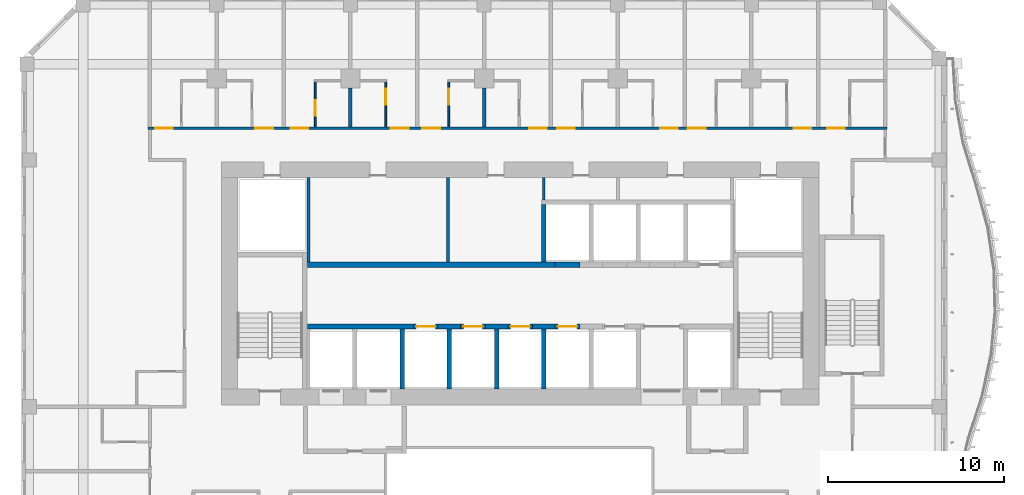
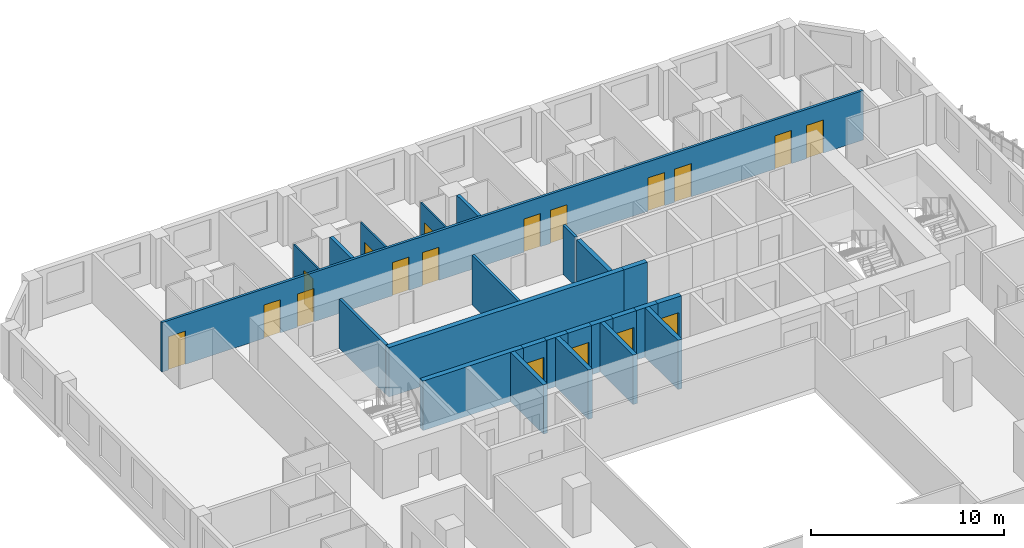
# One storey, part 7 of 21: 24 walls, 18 doors, 18 openings.
"""IFC4 building model written with IfcOpenShell, lengths in metres."""

from ifc_helpers import new_model, si_unit, direction, frame, frame_2d, origin, place, context, subcontext, project, spatial, rectangle, extrude, source, transform, mapped, material, layer, layer_set, type_object, element, fill, save


model = new_model("IFC4")

# Units and contexts
model_context = context("Model", 3, precision=1e-05, world=origin(), true_north=direction((0.0, 1.0)))
body_context = subcontext(model_context, "Body", "Model", "MODEL_VIEW")
ifc_project = project(units=[si_unit("LENGTHUNIT", "METRE"), si_unit("AREAUNIT", "SQUARE_METRE"), si_unit("VOLUMEUNIT", "CUBIC_METRE"), si_unit("PLANEANGLEUNIT", "RADIAN"), si_unit("MASSUNIT", "GRAM", prefix="KILO")], contexts=[model_context])

# Site, building, storey
site_placement = place(None, origin())
site = spatial("IfcSite", under=ifc_project, at=site_placement, CompositionType="ELEMENT")
building_placement = place(site_placement, origin())
building = spatial("IfcBuilding", under=site, at=building_placement, Name="Kilnfold Tower and Market Hall", CompositionType="ELEMENT")
storey_placement = place(building_placement, frame((0.0, 0.0, 147.300048828125)))
storey = spatial("IfcBuildingStorey", under=building, at=storey_placement, Name="L33", CompositionType="ELEMENT", Elevation=147.300048828125)

# Wall, openings, doors
ifc_material_1 = material(Name="Gypsum board on steel studs", Category="steel")
ifc_layer_1 = layer(ifc_material_1, 0.14990234375)
ifc_layer_set_1 = layer_set([ifc_layer_1], Name="Gypsum board on steel studs")
wall_type_1 = type_object("IfcWallType", Name="WALL CORRIDOR 150", PredefinedType="PARTITIONING", material=ifc_layer_set_1)
wall_1_placement = place(storey_placement, frame((-20.05908203125, 23.800048828125, 0.0), z_axis=(0.0, 0.0, 1.0), x_axis=(1.0, 0.0, 0.0)))
wall_1 = element("IfcWall", 1, at=wall_1_placement, inside=storey, type_object=wall_type_1, Name="Partition LY21.25", PredefinedType="PARTITIONING", context=body_context, shape_type="SweptSolid", body=[
    extrude(rectangle(XDim=41.9091796875, YDim=0.14990234375, at=frame_2d((20.95458984375, 0.0))), origin(), (0.0, 0.0, 1.0), 3.119873046875),
])
opening_1_placement = place(wall_1_placement, frame((0.40087890625, 0.0, 0.0)))
opening_1 = element("IfcOpeningElement", 2, at=opening_1_placement, cuts=wall_1, Name="Opening D1", PredefinedType="OPENING", context=body_context, shape_type="SweptSolid", body=[
    extrude(rectangle(XDim=1.0, YDim=2.10009765625, at=frame_2d((0.5, 1.050048828125))), frame((0.0, 0.0849609375, 0.0), z_axis=(0.0, -1.0, 0.0), x_axis=(1.0, 0.0, 0.0)), (0.0, 0.0, 1.0), 0.169921875),
])
opening_2_placement = place(wall_1_placement, frame((6.08203125, 0.0, 0.0)))
opening_2 = element("IfcOpeningElement", 3, at=opening_2_placement, cuts=wall_1, Name="Opening D1", PredefinedType="OPENING", context=body_context, shape_type="SweptSolid", body=[
    extrude(rectangle(XDim=1.0, YDim=2.10009765625, at=frame_2d((0.5, 1.050048828125))), frame((0.0, 0.0849609375, 0.0), z_axis=(0.0, -1.0, 0.0), x_axis=(1.0, 0.0, 0.0)), (0.0, 0.0, 1.0), 0.169921875),
])
opening_3_placement = place(wall_1_placement, frame((8.080078125, 0.0, 0.0)))
opening_3 = element("IfcOpeningElement", 4, at=opening_3_placement, cuts=wall_1, Name="Opening D1", PredefinedType="OPENING", context=body_context, shape_type="SweptSolid", body=[
    extrude(rectangle(XDim=1.0, YDim=2.10009765625, at=frame_2d((0.5, 1.050048828125))), frame((0.0, 0.0849609375, 0.0), z_axis=(0.0, -1.0, 0.0), x_axis=(1.0, 0.0, 0.0)), (0.0, 0.0, 1.0), 0.169921875),
])
opening_4_placement = place(wall_1_placement, frame((13.76904296875, 0.0, 0.0)))
opening_4 = element("IfcOpeningElement", 5, at=opening_4_placement, cuts=wall_1, Name="Opening D1", PredefinedType="OPENING", context=body_context, shape_type="SweptSolid", body=[
    extrude(rectangle(XDim=1.0, YDim=2.10009765625, at=frame_2d((0.5, 1.050048828125))), frame((0.0, 0.0849609375, 0.0), z_axis=(0.0, -1.0, 0.0), x_axis=(1.0, 0.0, 0.0)), (0.0, 0.0, 1.0), 0.169921875),
])
opening_5_placement = place(wall_1_placement, frame((15.56005859375, 0.0, 0.0)))
opening_5 = element("IfcOpeningElement", 6, at=opening_5_placement, cuts=wall_1, Name="Opening D1", PredefinedType="OPENING", context=body_context, shape_type="SweptSolid", body=[
    extrude(rectangle(XDim=1.0, YDim=2.10009765625, at=frame_2d((0.5, 1.050048828125))), frame((0.0, 0.0849609375, 0.0), z_axis=(0.0, -1.0, 0.0), x_axis=(1.0, 0.0, 0.0)), (0.0, 0.0, 1.0), 0.169921875),
])
opening_6_placement = place(wall_1_placement, frame((21.625, 0.0, 0.0)))
opening_6 = element("IfcOpeningElement", 7, at=opening_6_placement, cuts=wall_1, Name="Opening D1", PredefinedType="OPENING", context=body_context, shape_type="SweptSolid", body=[
    extrude(rectangle(XDim=1.0, YDim=2.10009765625, at=frame_2d((0.5, 1.050048828125))), frame((0.0, 0.0849609375, 0.0), z_axis=(0.0, -1.0, 0.0), x_axis=(1.0, 0.0, 0.0)), (0.0, 0.0, 1.0), 0.169921875),
])
opening_7_placement = place(wall_1_placement, frame((23.2119140625, 0.0, 0.0)))
opening_7 = element("IfcOpeningElement", 8, at=opening_7_placement, cuts=wall_1, Name="Opening D1", PredefinedType="OPENING", context=body_context, shape_type="SweptSolid", body=[
    extrude(rectangle(XDim=1.0, YDim=2.10009765625, at=frame_2d((0.5, 1.050048828125))), frame((0.0, 0.0849609375, 0.0), z_axis=(0.0, -1.0, 0.0), x_axis=(1.0, 0.0, 0.0)), (0.0, 0.0, 1.0), 0.169921875),
])
opening_8_placement = place(wall_1_placement, frame((29.0380859375, 0.0, 0.0)))
opening_8 = element("IfcOpeningElement", 9, at=opening_8_placement, cuts=wall_1, Name="Opening D1", PredefinedType="OPENING", context=body_context, shape_type="SweptSolid", body=[
    extrude(rectangle(XDim=1.0, YDim=2.10009765625, at=frame_2d((0.5, 1.050048828125))), frame((0.0, 0.0849609375, 0.0), z_axis=(0.0, -1.0, 0.0), x_axis=(1.0, 0.0, 0.0)), (0.0, 0.0, 1.0), 0.169921875),
])
opening_9_placement = place(wall_1_placement, frame((30.6240234375, 0.0, 0.0)))
opening_9 = element("IfcOpeningElement", 10, at=opening_9_placement, cuts=wall_1, Name="Opening D1", PredefinedType="OPENING", context=body_context, shape_type="SweptSolid", body=[
    extrude(rectangle(XDim=1.0, YDim=2.10009765625, at=frame_2d((0.5, 1.050048828125))), frame((0.0, 0.0849609375, 0.0), z_axis=(0.0, -1.0, 0.0), x_axis=(1.0, 0.0, 0.0)), (0.0, 0.0, 1.0), 0.169921875),
])
opening_10_placement = place(wall_1_placement, frame((36.6220703125, 0.0, 0.0)))
opening_10 = element("IfcOpeningElement", 11, at=opening_10_placement, cuts=wall_1, Name="Opening D1", PredefinedType="OPENING", context=body_context, shape_type="SweptSolid", body=[
    extrude(rectangle(XDim=1.0, YDim=2.10009765625, at=frame_2d((0.5, 1.050048828125))), frame((0.0, 0.0849609375, 0.0), z_axis=(0.0, -1.0, 0.0), x_axis=(1.0, 0.0, 0.0)), (0.0, 0.0, 1.0), 0.169921875),
])
opening_11_placement = place(wall_1_placement, frame((38.51611328125, 0.0, 0.0)))
opening_11 = element("IfcOpeningElement", 12, at=opening_11_placement, cuts=wall_1, Name="Opening D1", PredefinedType="OPENING", context=body_context, shape_type="SweptSolid", body=[
    extrude(rectangle(XDim=1.0, YDim=2.10009765625, at=frame_2d((0.5, 1.050048828125))), frame((0.0, 0.0849609375, 0.0), z_axis=(0.0, -1.0, 0.0), x_axis=(1.0, 0.0, 0.0)), (0.0, 0.0, 1.0), 0.169921875),
])
ifc_material_2 = material(Name="Timber veneer door leaf in steel frame", Category="steel")
door_type_1 = type_object("IfcDoorType", Name="DOOR ENTRY 1000 X2100", OperationType="NOTDEFINED", PredefinedType="DOOR", material=ifc_material_2)
door_1_placement = place(opening_1_placement, origin())
door_1 = element("IfcDoor", 13, at=door_1_placement, inside=storey, type_object=door_type_1, Name="Door D1", OperationType="SINGLE_SWING_RIGHT", OverallHeight=2.10009765625, OverallWidth=1.0, PredefinedType="DOOR", context=body_context, shape_type="SweptSolid", body=[
    extrude(rectangle(XDim=1.0, YDim=2.10009765625, at=frame_2d((0.5, 1.050048828125))), frame((0.0, 0.02490234375, 0.0), z_axis=(0.0, -1.0, 0.0), x_axis=(1.0, 0.0, 0.0)), (0.0, 0.0, 1.0), 0.050048828125),
])
fill(opening_1, door_1)
door_2_placement = place(opening_2_placement, origin())
door_2 = element("IfcDoor", 14, at=door_2_placement, inside=storey, type_object=door_type_1, Name="Door D1", OperationType="SINGLE_SWING_LEFT", OverallHeight=2.10009765625, OverallWidth=1.0, PredefinedType="DOOR", context=body_context, shape_type="SweptSolid", body=[
    extrude(rectangle(XDim=1.0, YDim=2.10009765625, at=frame_2d((0.5, 1.050048828125))), frame((0.0, 0.02490234375, 0.0), z_axis=(0.0, -1.0, 0.0), x_axis=(1.0, 0.0, 0.0)), (0.0, 0.0, 1.0), 0.050048828125),
])
fill(opening_2, door_2)
door_3_placement = place(opening_3_placement, origin())
door_3 = element("IfcDoor", 15, at=door_3_placement, inside=storey, type_object=door_type_1, Name="Door D1", OperationType="SINGLE_SWING_LEFT", OverallHeight=2.10009765625, OverallWidth=1.0, PredefinedType="DOOR", context=body_context, shape_type="SweptSolid", body=[
    extrude(rectangle(XDim=1.0, YDim=2.10009765625, at=frame_2d((0.5, 1.050048828125))), frame((0.0, 0.02490234375, 0.0), z_axis=(0.0, -1.0, 0.0), x_axis=(1.0, 0.0, 0.0)), (0.0, 0.0, 1.0), 0.050048828125),
])
fill(opening_3, door_3)
door_4_placement = place(opening_4_placement, origin())
door_4 = element("IfcDoor", 16, at=door_4_placement, inside=storey, type_object=door_type_1, Name="Door D1", OperationType="SINGLE_SWING_RIGHT", OverallHeight=2.10009765625, OverallWidth=1.0, PredefinedType="DOOR", context=body_context, shape_type="SweptSolid", body=[
    extrude(rectangle(XDim=1.0, YDim=2.10009765625, at=frame_2d((0.5, 1.050048828125))), frame((0.0, 0.02490234375, 0.0), z_axis=(0.0, -1.0, 0.0), x_axis=(1.0, 0.0, 0.0)), (0.0, 0.0, 1.0), 0.050048828125),
])
fill(opening_4, door_4)
door_5_placement = place(opening_5_placement, origin())
door_5 = element("IfcDoor", 17, at=door_5_placement, inside=storey, type_object=door_type_1, Name="Door D1", OperationType="SINGLE_SWING_RIGHT", OverallHeight=2.10009765625, OverallWidth=1.0, PredefinedType="DOOR", context=body_context, shape_type="SweptSolid", body=[
    extrude(rectangle(XDim=1.0, YDim=2.10009765625, at=frame_2d((0.5, 1.050048828125))), frame((0.0, 0.02490234375, 0.0), z_axis=(0.0, -1.0, 0.0), x_axis=(1.0, 0.0, 0.0)), (0.0, 0.0, 1.0), 0.050048828125),
])
fill(opening_5, door_5)
door_6_placement = place(opening_6_placement, origin())
door_6 = element("IfcDoor", 18, at=door_6_placement, inside=storey, type_object=door_type_1, Name="Door D1", OperationType="SINGLE_SWING_RIGHT", OverallHeight=2.10009765625, OverallWidth=1.0, PredefinedType="DOOR", context=body_context, shape_type="SweptSolid", body=[
    extrude(rectangle(XDim=1.0, YDim=2.10009765625, at=frame_2d((0.5, 1.050048828125))), frame((0.0, 0.02490234375, 0.0), z_axis=(0.0, -1.0, 0.0), x_axis=(1.0, 0.0, 0.0)), (0.0, 0.0, 1.0), 0.050048828125),
])
fill(opening_6, door_6)
door_7_placement = place(opening_7_placement, origin())
door_7 = element("IfcDoor", 19, at=door_7_placement, inside=storey, type_object=door_type_1, Name="Door D1", OperationType="SINGLE_SWING_LEFT", OverallHeight=2.10009765625, OverallWidth=1.0, PredefinedType="DOOR", context=body_context, shape_type="SweptSolid", body=[
    extrude(rectangle(XDim=1.0, YDim=2.10009765625, at=frame_2d((0.5, 1.050048828125))), frame((0.0, 0.02490234375, 0.0), z_axis=(0.0, -1.0, 0.0), x_axis=(1.0, 0.0, 0.0)), (0.0, 0.0, 1.0), 0.050048828125),
])
fill(opening_7, door_7)
door_8_placement = place(opening_8_placement, origin())
door_8 = element("IfcDoor", 20, at=door_8_placement, inside=storey, type_object=door_type_1, Name="Door D1", OperationType="SINGLE_SWING_LEFT", OverallHeight=2.10009765625, OverallWidth=1.0, PredefinedType="DOOR", context=body_context, shape_type="SweptSolid", body=[
    extrude(rectangle(XDim=1.0, YDim=2.10009765625, at=frame_2d((0.5, 1.050048828125))), frame((0.0, 0.02490234375, 0.0), z_axis=(0.0, -1.0, 0.0), x_axis=(1.0, 0.0, 0.0)), (0.0, 0.0, 1.0), 0.050048828125),
])
fill(opening_8, door_8)
door_9_placement = place(opening_9_placement, origin())
door_9 = element("IfcDoor", 21, at=door_9_placement, inside=storey, type_object=door_type_1, Name="Door D1", OperationType="SINGLE_SWING_LEFT", OverallHeight=2.10009765625, OverallWidth=1.0, PredefinedType="DOOR", context=body_context, shape_type="SweptSolid", body=[
    extrude(rectangle(XDim=1.0, YDim=2.10009765625, at=frame_2d((0.5, 1.050048828125))), frame((0.0, 0.02490234375, 0.0), z_axis=(0.0, -1.0, 0.0), x_axis=(1.0, 0.0, 0.0)), (0.0, 0.0, 1.0), 0.050048828125),
])
fill(opening_9, door_9)
door_10_placement = place(opening_10_placement, origin())
door_10 = element("IfcDoor", 22, at=door_10_placement, inside=storey, type_object=door_type_1, Name="Door D1", OperationType="SINGLE_SWING_LEFT", OverallHeight=2.10009765625, OverallWidth=1.0, PredefinedType="DOOR", context=body_context, shape_type="SweptSolid", body=[
    extrude(rectangle(XDim=1.0, YDim=2.10009765625, at=frame_2d((0.5, 1.050048828125))), frame((0.0, 0.02490234375, 0.0), z_axis=(0.0, -1.0, 0.0), x_axis=(1.0, 0.0, 0.0)), (0.0, 0.0, 1.0), 0.050048828125),
])
fill(opening_10, door_10)
door_11_placement = place(opening_11_placement, origin())
door_11 = element("IfcDoor", 23, at=door_11_placement, inside=storey, type_object=door_type_1, Name="Door D1", OperationType="SINGLE_SWING_RIGHT", OverallHeight=2.10009765625, OverallWidth=1.0, PredefinedType="DOOR", context=body_context, shape_type="SweptSolid", body=[
    extrude(rectangle(XDim=1.0, YDim=2.10009765625, at=frame_2d((0.5, 1.050048828125))), frame((0.0, 0.02490234375, 0.0), z_axis=(0.0, -1.0, 0.0), x_axis=(1.0, 0.0, 0.0)), (0.0, 0.0, 1.0), 0.050048828125),
])
fill(opening_11, door_11)

# Wall, opening, door
ifc_material_3 = material(Name="Gypsum board on steel studs", Category="steel")
ifc_layer_2 = layer(ifc_material_3, 0.10009765625)
ifc_layer_set_2 = layer_set([ifc_layer_2], Name="Gypsum board on steel studs")
wall_type_2 = type_object("IfcWallType", Name="WALL PARTITION 100", PredefinedType="PARTITIONING", material=ifc_layer_set_2)
wall_2_placement = place(storey_placement, frame((-10.5830078125, 23.876953125, 0.0), z_axis=(0.0, 0.0, 1.0), x_axis=(0.0, 1.0, 0.0)))
wall_2 = element("IfcWall", 24, at=wall_2_placement, inside=storey, type_object=wall_type_2, Name="Partition LY21.91", PredefinedType="PARTITIONING", context=body_context, shape_type="SweptSolid", body=[
    extrude(rectangle(XDim=2.574951171875, YDim=0.10009765625, at=frame_2d((1.28759765625, 0.0))), origin(), (0.0, 0.0, 1.0), 3.119873046875),
])
opening_12_placement = place(wall_2_placement, frame((0.625, 0.0, 0.0)))
opening_12 = element("IfcOpeningElement", 25, at=opening_12_placement, cuts=wall_2, Name="Opening D3", PredefinedType="OPENING", context=body_context, shape_type="SweptSolid", body=[
    extrude(rectangle(XDim=0.89990234375, YDim=2.10009765625, at=frame_2d((0.449951171875, 1.050048828125))), frame((0.0, 0.06005859375, 0.0), z_axis=(0.0, -1.0, 0.0), x_axis=(1.0, 0.0, 0.0)), (0.0, 0.0, 1.0), 0.1201171875),
])
ifc_material_4 = material(Name="Timber veneer door leaf in steel frame", Category="steel")
door_type_2 = type_object("IfcDoorType", Name="DOOR WC 900 X2100", OperationType="NOTDEFINED", PredefinedType="DOOR", material=ifc_material_4)
door_12_placement = place(opening_12_placement, origin())
door_12 = element("IfcDoor", 26, at=door_12_placement, inside=storey, type_object=door_type_2, Name="Door D3", OperationType="SINGLE_SWING_LEFT", OverallHeight=2.10009765625, OverallWidth=0.89990234375, PredefinedType="DOOR", context=body_context, shape_type="SweptSolid", body=[
    extrude(rectangle(XDim=0.89990234375, YDim=2.10009765625, at=frame_2d((0.449951171875, 1.050048828125))), frame((0.0, 0.02490234375, 0.0), z_axis=(0.0, -1.0, 0.0), x_axis=(1.0, 0.0, 0.0)), (0.0, 0.0, 1.0), 0.050048828125),
])
fill(opening_12, door_12)

wall_3_placement = place(storey_placement, frame((-6.5830078125, 26.451904296875, 0.0), z_axis=(0.0, 0.0, 1.0), x_axis=(0.0, -1.0, 0.0)))
wall_3 = element("IfcWall", 27, at=wall_3_placement, inside=storey, type_object=wall_type_2, Name="Partition LY21.95", PredefinedType="PARTITIONING", context=body_context, shape_type="SweptSolid", body=[
    extrude(rectangle(XDim=2.574951171875, YDim=0.10009765625, at=frame_2d((1.28759765625, 0.0))), origin(), (0.0, 0.0, 1.0), 3.119873046875),
])
opening_13_placement = place(wall_3_placement, frame((0.4130859375, 0.0, 0.0)))
opening_13 = element("IfcOpeningElement", 28, at=opening_13_placement, cuts=wall_3, Name="Opening D3", PredefinedType="OPENING", context=body_context, shape_type="SweptSolid", body=[
    extrude(rectangle(XDim=0.89990234375, YDim=2.10009765625, at=frame_2d((0.449951171875, 1.050048828125))), frame((0.0, 0.06005859375, 0.0), z_axis=(0.0, -1.0, 0.0), x_axis=(1.0, 0.0, 0.0)), (0.0, 0.0, 1.0), 0.1201171875),
])
door_13_placement = place(opening_13_placement, origin())
door_13 = element("IfcDoor", 29, at=door_13_placement, inside=storey, type_object=door_type_2, Name="Door D3", OperationType="SINGLE_SWING_LEFT", OverallHeight=2.10009765625, OverallWidth=0.89990234375, PredefinedType="DOOR", context=body_context, shape_type="SweptSolid", body=[
    extrude(rectangle(XDim=0.89990234375, YDim=2.10009765625, at=frame_2d((0.449951171875, 1.050048828125))), frame((0.0, 0.02490234375, 0.0), z_axis=(0.0, -1.0, 0.0), x_axis=(1.0, 0.0, 0.0)), (0.0, 0.0, 1.0), 0.050048828125),
])
fill(opening_13, door_13)

wall_4_placement = place(storey_placement, frame((-3.0, 23.876953125, 0.0), z_axis=(0.0, 0.0, 1.0), x_axis=(0.0, 1.0, 0.0)))
wall_4 = element("IfcWall", 30, at=wall_4_placement, inside=storey, type_object=wall_type_2, Name="Partition LY21.98", PredefinedType="PARTITIONING", context=body_context, shape_type="SweptSolid", body=[
    extrude(rectangle(XDim=2.574951171875, YDim=0.10009765625, at=frame_2d((1.28759765625, 0.0))), origin(), (0.0, 0.0, 1.0), 3.119873046875),
])
opening_14_placement = place(wall_4_placement, frame((1.262939453125, 0.0, 0.0)))
opening_14 = element("IfcOpeningElement", 31, at=opening_14_placement, cuts=wall_4, Name="Opening D3", PredefinedType="OPENING", context=body_context, shape_type="SweptSolid", body=[
    extrude(rectangle(XDim=0.89990234375, YDim=2.10009765625, at=frame_2d((0.449951171875, 1.050048828125))), frame((0.0, 0.06005859375, 0.0), z_axis=(0.0, -1.0, 0.0), x_axis=(1.0, 0.0, 0.0)), (0.0, 0.0, 1.0), 0.1201171875),
])
door_14_placement = place(opening_14_placement, origin())
door_14 = element("IfcDoor", 32, at=door_14_placement, inside=storey, type_object=door_type_2, Name="Door D3", OperationType="SINGLE_SWING_LEFT", OverallHeight=2.10009765625, OverallWidth=0.89990234375, PredefinedType="DOOR", context=body_context, shape_type="SweptSolid", body=[
    extrude(rectangle(XDim=0.89990234375, YDim=2.10009765625, at=frame_2d((0.449951171875, 1.050048828125))), frame((0.0, 0.02490234375, 0.0), z_axis=(0.0, -1.0, 0.0), x_axis=(1.0, 0.0, 0.0)), (0.0, 0.0, 1.0), 0.050048828125),
])
fill(opening_14, door_14)

# Walls
ifc_material_5 = material(Name="Gypsum board on steel studs", Category="steel")
ifc_layer_3 = layer(ifc_material_5, 0.199951171875)
ifc_layer_set_3 = layer_set([ifc_layer_3], Name="Gypsum board on steel studs")
wall_type_3 = type_object("IfcWallType", Name="WALL PARTY 200", PredefinedType="PARTITIONING", material=ifc_layer_set_3)
for number, where, z_axis, x_axis, name in (
    (33, (-8.5830078125, 23.876953125, 0.0), (0.0, 0.0, 1.0), (0.0, 1.0, 0.0), "Partition LY21.93"),
    (34, (-1.0, 23.876953125, 0.0), (0.0, 0.0, 1.0), (0.0, 1.0, 0.0), "Partition LY21.100"),
):
    element("IfcWall", number, at=place(storey_placement, frame(where, z_axis=z_axis, x_axis=x_axis)), inside=storey, type_object=wall_type_3, Name=name, PredefinedType="PARTITIONING", context=body_context, shape_type="SweptSolid", body=[
        extrude(rectangle(XDim=2.197998046875, YDim=0.199951171875, at=frame_2d((1.09912109375, 0.0))), origin(), (0.0, 0.0, 1.0), 3.119873046875),
    ])
ifc_material_6 = material(Name="Concrete C70", Category="concrete")
ifc_layer_4 = layer(ifc_material_6, 0.300048828125)
ifc_layer_set_4 = layer_set([ifc_layer_4], Name="Concrete C70")
wall_type_4 = type_object("IfcWallType", Name="CORE WALL 300 C70", PredefinedType="SHEAR", material=ifc_layer_set_4)
shared_shape_1 = source(origin(), body_context, "Body", "SweptSolid", [
    extrude(rectangle(XDim=6.0, YDim=0.300048828125, at=frame_2d((3.0, 0.0))), origin(), (0.0, 0.0, 1.0), 3.119873046875),
])
wall_5_placement = place(storey_placement, frame((-11.010009765625, 12.550048828125, 0.0), z_axis=(0.0, 0.0, 1.0), x_axis=(1.0, 0.0, 0.0)))
element("IfcWall", 35, at=wall_5_placement, inside=storey, type_object=wall_type_4, Name="Core spine wall", PredefinedType="SHEAR", context=body_context, shape_type="MappedRepresentation", body=[
    mapped(shared_shape_1, transform((0.0, 0.0, 0.0))),
])
shared_shape_2 = source(origin(), body_context, "Body", "SweptSolid", [
    extrude(rectangle(XDim=1.280029296875, YDim=0.300048828125, at=frame_2d((0.64013671875, 0.0))), origin(), (0.0, 0.0, 1.0), 3.119873046875),
])
for number, where, z_axis, x_axis, name in (
    (36, (-3.610107421875, 12.550048828125, 0.0), (0.0, 0.0, 1.0), (1.0, 0.0, 0.0), "Core spine wall"),
    (37, (-0.929931640625, 12.550048828125, 0.0), (0.0, 0.0, 1.0), (1.0, 0.0, 0.0), "Core spine wall"),
    (38, (1.75, 12.550048828125, 0.0), (0.0, 0.0, 1.0), (1.0, 0.0, 0.0), "Core spine wall"),
):
    element("IfcWall", number, at=place(storey_placement, frame(where, z_axis=z_axis, x_axis=x_axis)), inside=storey, type_object=wall_type_4, Name=name, PredefinedType="SHEAR", context=body_context, shape_type="MappedRepresentation", body=[
        mapped(shared_shape_2, transform((0.0, 0.0, 0.0))),
    ])
shared_shape_3 = source(origin(), body_context, "Body", "SweptSolid", [
    extrude(rectangle(XDim=14.0400390625, YDim=0.300048828125, at=frame_2d((7.02001953125, 0.0))), origin(), (0.0, 0.0, 1.0), 3.119873046875),
])
wall_6_placement = place(storey_placement, frame((-11.010009765625, 16.050048828125, 0.0), z_axis=(0.0, 0.0, 1.0), x_axis=(1.0, 0.0, 0.0)))
element("IfcWall", 39, at=wall_6_placement, inside=storey, type_object=wall_type_4, Name="Core spine wall", PredefinedType="SHEAR", context=body_context, shape_type="MappedRepresentation", body=[
    mapped(shared_shape_3, transform((0.0, 0.0, 0.0))),
])

# Wall, opening, door
ifc_material_7 = material(Name="Gypsum shaft wall system")
ifc_layer_5 = layer(ifc_material_7, 0.300048828125)
ifc_layer_set_5 = layer_set([ifc_layer_5], Name="Gypsum shaft wall system")
wall_type_5 = type_object("IfcWallType", Name="SHAFT WALL 300", PredefinedType="PARTITIONING", material=ifc_layer_set_5)
shared_shape_4 = source(origin(), body_context, "Body", "SweptSolid", [
    extrude(rectangle(XDim=1.39990234375, YDim=0.300048828125, at=frame_2d((0.699951171875, 0.0))), origin(), (0.0, 0.0, 1.0), 3.119873046875),
])
wall_7_placement = place(storey_placement, frame((-5.010009765625, 12.550048828125, 0.0), z_axis=(0.0, 0.0, 1.0), x_axis=(1.0, 0.0, 0.0)))
wall_7 = element("IfcWall", 40, at=wall_7_placement, inside=storey, type_object=wall_type_5, Name="Lift shaft front wall", PredefinedType="PARTITIONING", context=body_context, shape_type="MappedRepresentation", body=[
    mapped(shared_shape_4, transform((0.0, 0.0, 0.0))),
])
opening_15_placement = place(wall_7_placement, frame((0.14990234375, 0.0, 0.0)))
opening_15 = element("IfcOpeningElement", 41, at=opening_15_placement, cuts=wall_7, Name="Opening LD2", PredefinedType="OPENING", context=body_context, shape_type="SweptSolid", body=[
    extrude(rectangle(XDim=1.10009765625, YDim=2.10009765625, at=frame_2d((0.550048828125, 1.050048828125))), frame((0.0, 0.16015625, 0.0), z_axis=(0.0, -1.0, 0.0), x_axis=(1.0, 0.0, 0.0)), (0.0, 0.0, 1.0), 0.320068359375),
])
ifc_material_8 = material(Name="Steel door set with fire-resisting leaf", Category="steel")
door_type_3 = type_object("IfcDoorType", Name="LANDING DOOR 1100X2100", OperationType="NOTDEFINED", PredefinedType="DOOR", material=ifc_material_8)
door_15_placement = place(opening_15_placement, origin())
door_15 = element("IfcDoor", 42, at=door_15_placement, inside=storey, type_object=door_type_3, Name="Landing door MR1", OperationType="DOUBLE_DOOR_SLIDING", OverallHeight=2.10009765625, OverallWidth=1.10009765625, PredefinedType="DOOR", context=body_context, shape_type="SweptSolid", body=[
    extrude(rectangle(XDim=1.10009765625, YDim=2.10009765625, at=frame_2d((0.550048828125, 1.050048828125))), frame((0.0, 0.02490234375, 0.0), z_axis=(0.0, -1.0, 0.0), x_axis=(1.0, 0.0, 0.0)), (0.0, 0.0, 1.0), 0.050048828125),
])
fill(opening_15, door_15)

wall_8_placement = place(storey_placement, frame((0.35009765625, 12.550048828125, 0.0), z_axis=(0.0, 0.0, 1.0), x_axis=(1.0, 0.0, 0.0)))
wall_8 = element("IfcWall", 43, at=wall_8_placement, inside=storey, type_object=wall_type_5, Name="Lift shaft front wall", PredefinedType="PARTITIONING", context=body_context, shape_type="MappedRepresentation", body=[
    mapped(shared_shape_4, transform((0.0, 0.0, 0.0))),
])
opening_16_placement = place(wall_8_placement, frame((0.14990234375, 0.0, 0.0)))
opening_16 = element("IfcOpeningElement", 44, at=opening_16_placement, cuts=wall_8, Name="Opening LD2", PredefinedType="OPENING", context=body_context, shape_type="SweptSolid", body=[
    extrude(rectangle(XDim=1.10009765625, YDim=2.10009765625, at=frame_2d((0.550048828125, 1.050048828125))), frame((0.0, 0.16015625, 0.0), z_axis=(0.0, -1.0, 0.0), x_axis=(1.0, 0.0, 0.0)), (0.0, 0.0, 1.0), 0.320068359375),
])
door_16_placement = place(opening_16_placement, origin())
door_16 = element("IfcDoor", 45, at=door_16_placement, inside=storey, type_object=door_type_3, Name="Landing door MR3", OperationType="DOUBLE_DOOR_SLIDING", OverallHeight=2.10009765625, OverallWidth=1.10009765625, PredefinedType="DOOR", context=body_context, shape_type="SweptSolid", body=[
    extrude(rectangle(XDim=1.10009765625, YDim=2.10009765625, at=frame_2d((0.550048828125, 1.050048828125))), frame((0.0, 0.02490234375, 0.0), z_axis=(0.0, -1.0, 0.0), x_axis=(1.0, 0.0, 0.0)), (0.0, 0.0, 1.0), 0.050048828125),
])
fill(opening_16, door_16)

wall_9_placement = place(storey_placement, frame((3.030029296875, 12.550048828125, 0.0), z_axis=(0.0, 0.0, 1.0), x_axis=(1.0, 0.0, 0.0)))
wall_9 = element("IfcWall", 46, at=wall_9_placement, inside=storey, type_object=wall_type_5, Name="Lift shaft front wall", PredefinedType="PARTITIONING", context=body_context, shape_type="MappedRepresentation", body=[
    mapped(shared_shape_4, transform((0.0, 0.0, 0.0))),
])
opening_17_placement = place(wall_9_placement, frame((0.14990234375, 0.0, 0.0)))
opening_17 = element("IfcOpeningElement", 47, at=opening_17_placement, cuts=wall_9, Name="Opening LD2", PredefinedType="OPENING", context=body_context, shape_type="SweptSolid", body=[
    extrude(rectangle(XDim=1.10009765625, YDim=2.10009765625, at=frame_2d((0.550048828125, 1.050048828125))), frame((0.0, 0.16015625, 0.0), z_axis=(0.0, -1.0, 0.0), x_axis=(1.0, 0.0, 0.0)), (0.0, 0.0, 1.0), 0.320068359375),
])
door_17_placement = place(opening_17_placement, origin())
door_17 = element("IfcDoor", 48, at=door_17_placement, inside=storey, type_object=door_type_3, Name="Landing door MR4", OperationType="DOUBLE_DOOR_SLIDING", OverallHeight=2.10009765625, OverallWidth=1.10009765625, PredefinedType="DOOR", context=body_context, shape_type="SweptSolid", body=[
    extrude(rectangle(XDim=1.10009765625, YDim=2.10009765625, at=frame_2d((0.550048828125, 1.050048828125))), frame((0.0, 0.02490234375, 0.0), z_axis=(0.0, -1.0, 0.0), x_axis=(1.0, 0.0, 0.0)), (0.0, 0.0, 1.0), 0.050048828125),
])
fill(opening_17, door_17)

# Wall
wall_10_placement = place(storey_placement, frame((3.030029296875, 16.050048828125, 0.0), z_axis=(0.0, 0.0, 1.0), x_axis=(1.0, 0.0, 0.0)))
element("IfcWall", 49, at=wall_10_placement, inside=storey, type_object=wall_type_5, Name="Lift shaft front wall", PredefinedType="PARTITIONING", context=body_context, shape_type="MappedRepresentation", body=[
    mapped(shared_shape_4, transform((0.0, 0.0, 0.0))),
])

# Wall, opening, door
shared_shape_5 = source(origin(), body_context, "Body", "SweptSolid", [
    extrude(rectangle(XDim=1.400146484375, YDim=0.300048828125, at=frame_2d((0.7001953125, 0.0))), origin(), (0.0, 0.0, 1.0), 3.119873046875),
])
wall_11_placement = place(storey_placement, frame((-2.330078125, 12.550048828125, 0.0), z_axis=(0.0, 0.0, 1.0), x_axis=(1.0, 0.0, 0.0)))
wall_11 = element("IfcWall", 50, at=wall_11_placement, inside=storey, type_object=wall_type_5, Name="Lift shaft front wall", PredefinedType="PARTITIONING", context=body_context, shape_type="MappedRepresentation", body=[
    mapped(shared_shape_5, transform((0.0, 0.0, 0.0))),
])
opening_18_placement = place(wall_11_placement, frame((0.14990234375, 0.0, 0.0)))
opening_18 = element("IfcOpeningElement", 51, at=opening_18_placement, cuts=wall_11, Name="Opening LD2", PredefinedType="OPENING", context=body_context, shape_type="SweptSolid", body=[
    extrude(rectangle(XDim=1.10009765625, YDim=2.10009765625, at=frame_2d((0.550048828125, 1.050048828125))), frame((0.0, 0.16015625, 0.0), z_axis=(0.0, -1.0, 0.0), x_axis=(1.0, 0.0, 0.0)), (0.0, 0.0, 1.0), 0.320068359375),
])
door_18_placement = place(opening_18_placement, origin())
door_18 = element("IfcDoor", 52, at=door_18_placement, inside=storey, type_object=door_type_3, Name="Landing door MR2", OperationType="DOUBLE_DOOR_SLIDING", OverallHeight=2.10009765625, OverallWidth=1.10009765625, PredefinedType="DOOR", context=body_context, shape_type="SweptSolid", body=[
    extrude(rectangle(XDim=1.10009765625, YDim=2.10009765625, at=frame_2d((0.550048828125, 1.050048828125))), frame((0.0, 0.02490234375, 0.0), z_axis=(0.0, -1.0, 0.0), x_axis=(1.0, 0.0, 0.0)), (0.0, 0.0, 1.0), 0.050048828125),
])
fill(opening_18, door_18)

# Walls
ifc_material_9 = material(Name="Gypsum shaft wall system")
ifc_layer_6 = layer(ifc_material_9, 0.1650390625)
ifc_layer_set_6 = layer_set([ifc_layer_6], Name="Gypsum shaft wall system")
wall_type_6 = type_object("IfcWallType", Name="SHAFT WALL 165", PredefinedType="PARTITIONING", material=ifc_layer_set_6)
shared_shape_6 = source(origin(), body_context, "Body", "SweptSolid", [
    extrude(rectangle(XDim=4.800048828125, YDim=0.1650390625, at=frame_2d((2.39990234375, 0.0))), origin(), (0.0, 0.0, 1.0), 3.119873046875),
])
wall_12_placement = place(storey_placement, frame((-10.967529296875, 16.199951171875, 0.0), z_axis=(0.0, 0.0, 1.0), x_axis=(0.0, 1.0, 0.0)))
element("IfcWall", 53, at=wall_12_placement, inside=storey, type_object=wall_type_6, Name="Lift shaft wall", PredefinedType="PARTITIONING", context=body_context, shape_type="MappedRepresentation", body=[
    mapped(shared_shape_6, transform((0.0, 0.0, 0.0))),
])
ifc_material_10 = material(Name="Gypsum shaft wall system")
ifc_layer_7 = layer(ifc_material_10, 0.25)
ifc_layer_set_7 = layer_set([ifc_layer_7], Name="Gypsum shaft wall system")
wall_type_7 = type_object("IfcWallType", Name="SHAFT WALL 250", PredefinedType="PARTITIONING", material=ifc_layer_set_7)
shared_shape_7 = source(origin(), body_context, "Body", "SweptSolid", [
    extrude(rectangle(XDim=3.275146484375, YDim=0.25, at=frame_2d((1.6376953125, 0.0))), origin(), (0.0, 0.0, 1.0), 3.119873046875),
])
wall_13_placement = place(storey_placement, frame((2.389892578125, 16.199951171875, 0.0), z_axis=(0.0, 0.0, 1.0), x_axis=(0.0, 1.0, 0.0)))
element("IfcWall", 54, at=wall_13_placement, inside=storey, type_object=wall_type_7, Name="Lift shaft wall", PredefinedType="PARTITIONING", context=body_context, shape_type="MappedRepresentation", body=[
    mapped(shared_shape_7, transform((0.0, 0.0, 0.0))),
])
shared_shape_8 = source(origin(), body_context, "Body", "SweptSolid", [
    extrude(rectangle(XDim=3.39990234375, YDim=0.25, at=frame_2d((1.699951171875, 0.0))), origin(), (0.0, 0.0, 1.0), 3.119873046875),
])
for number, where, z_axis, x_axis, name in (
    (55, (2.389892578125, 9.0, 0.0), (0.0, 0.0, 1.0), (0.0, 1.0, 0.0), "Lift shaft wall"),
    (56, (-0.2900390625, 9.0, 0.0), (0.0, 0.0, 1.0), (0.0, 1.0, 0.0), "Lift shaft wall"),
    (57, (-2.969970703125, 9.0, 0.0), (0.0, 0.0, 1.0), (0.0, 1.0, 0.0), "Lift shaft wall"),
    (58, (-5.64990234375, 9.0, 0.0), (0.0, 0.0, 1.0), (0.0, 1.0, 0.0), "Lift shaft wall"),
):
    element("IfcWall", number, at=place(storey_placement, frame(where, z_axis=z_axis, x_axis=x_axis)), inside=storey, type_object=wall_type_7, Name=name, PredefinedType="PARTITIONING", context=body_context, shape_type="MappedRepresentation", body=[
        mapped(shared_shape_8, transform((0.0, 0.0, 0.0))),
    ])
ifc_material_11 = material(Name="Gypsum shaft wall system")
ifc_layer_8 = layer(ifc_material_11, 0.14990234375)
ifc_layer_set_8 = layer_set([ifc_layer_8], Name="Gypsum shaft wall system")
wall_type_8 = type_object("IfcWallType", Name="ROOM WALL 150", PredefinedType="PARTITIONING", material=ifc_layer_set_8)
shared_shape_9 = source(origin(), body_context, "Body", "SweptSolid", [
    extrude(rectangle(XDim=4.800048828125, YDim=0.14990234375, at=frame_2d((2.39990234375, 0.0))), origin(), (0.0, 0.0, 1.0), 3.119873046875),
])
wall_14_placement = place(storey_placement, frame((-3.05029296875, 16.199951171875, 0.0), z_axis=(0.0, 0.0, 1.0), x_axis=(0.0, 1.0, 0.0)))
element("IfcWall", 59, at=wall_14_placement, inside=storey, type_object=wall_type_8, Name="Core room wall", PredefinedType="PARTITIONING", context=body_context, shape_type="MappedRepresentation", body=[
    mapped(shared_shape_9, transform((0.0, 0.0, 0.0))),
])
shared_shape_10 = source(origin(), body_context, "Body", "SweptSolid", [
    extrude(rectangle(XDim=1.27490234375, YDim=0.14990234375, at=frame_2d((0.637451171875, 0.0))), origin(), (0.0, 0.0, 1.0), 3.119873046875),
])
wall_15_placement = place(storey_placement, frame((2.389892578125, 19.72509765625, 0.0), z_axis=(0.0, 0.0, 1.0), x_axis=(0.0, 1.0, 0.0)))
element("IfcWall", 60, at=wall_15_placement, inside=storey, type_object=wall_type_8, Name="Core room wall", PredefinedType="PARTITIONING", context=body_context, shape_type="MappedRepresentation", body=[
    mapped(shared_shape_10, transform((0.0, 0.0, 0.0))),
])

save(model, "model.ifc")
